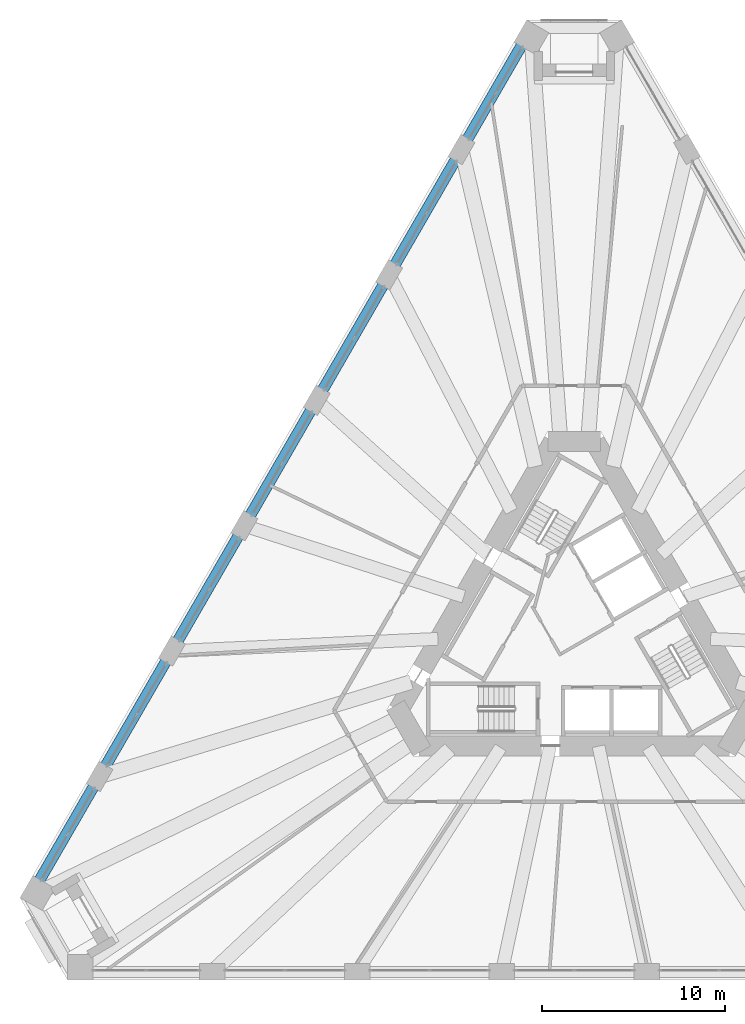
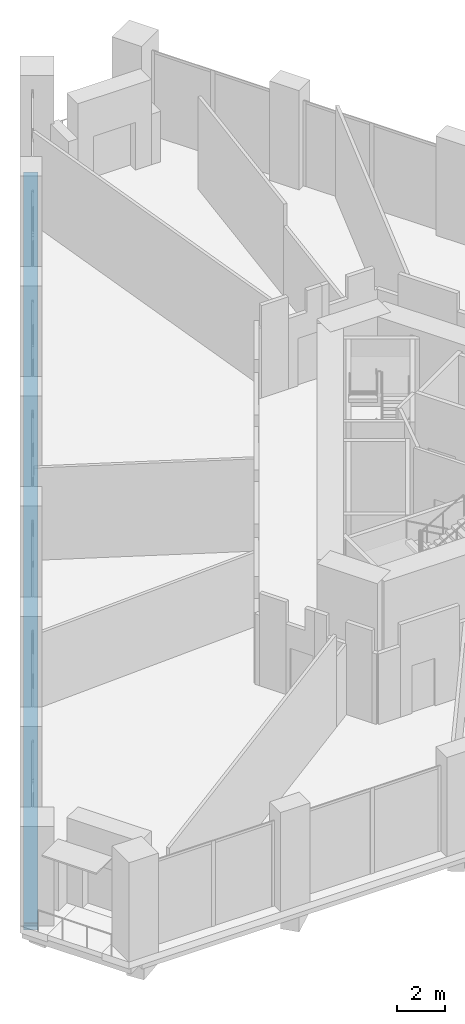
# One storey, part 5 of 20: 1 beam.
"""IFC4 building model written with IfcOpenShell, lengths in metres."""

import ifcopenshell
import ifcopenshell.guid

model = None  # the IFC model being written
_history = None  # IfcOwnerHistory: only IFC2X3 demands one
_inside = {}  # id of a spatial element -> (the spatial element, [elements in it])
_under = {}  # id of a project, library or spatial element -> (it, [spatial elements below it])
_declared = {}  # id of a project -> (the project, [libraries it declares])
_typed = {}  # id of a type object -> (the type object, [elements of that type])
_made_of = {}  # id of a material, layer set ... -> (it, [elements and type objects made of it])


def new_model(schema):
    """Start an empty IFC model of exactly this schema.

    Asked for "IFC4X3", IfcOpenShell would pick the latest addendum, in which some entities
    have other attributes; the version numbers below select the first issue.
    IFC2X3 requires an IfcOwnerHistory on every rooted entity: one is made here for all.
    """
    global model, _history
    if schema == "IFC4X3":
        model = ifcopenshell.file(schema_version=(4, 3, 0, 0))
    else:
        model = ifcopenshell.file(schema=schema)
    _inside.clear()
    _under.clear()
    _declared.clear()
    _typed.clear()
    _made_of.clear()
    _history = None
    if model.schema == "IFC2X3":
        org = make("IfcOrganization", Name="unknown")
        user = make(
            "IfcPersonAndOrganization",
            ThePerson=make("IfcPerson", FamilyName="unknown"),
            TheOrganization=org,
        )
        app = make(
            "IfcApplication",
            ApplicationDeveloper=org,
            Version="unknown",
            ApplicationFullName="unknown",
            ApplicationIdentifier="unknown",
        )
        _history = make(
            "IfcOwnerHistory",
            OwningUser=user,
            OwningApplication=app,
            ChangeAction="ADDED",
            CreationDate=0,
        )
    return model


def make(cls, **values):
    """One entity of the class cls with the attributes given. An attribute that is None is left unset."""
    return model.create_entity(
        cls, **{name: value for name, value in values.items() if value is not None}
    )


def rooted(cls, **values):
    """An entity with a GlobalId (a new one), such as an element, a storey or a relation."""
    return make(cls, GlobalId=ifcopenshell.guid.new(), OwnerHistory=_history, **values)


def si_unit(unit_type, name, prefix=None):
    """IfcSIUnit, for example si_unit("LENGTHUNIT", "METRE", prefix="MILLI")."""
    return make("IfcSIUnit", UnitType=unit_type, Prefix=prefix, Name=name)


def assignment(units):
    """IfcUnitAssignment: the units of a project."""
    return None if units is None else make("IfcUnitAssignment", Units=units)


def point(xyz):
    """IfcCartesianPoint."""
    return None if xyz is None else make("IfcCartesianPoint", Coordinates=xyz)


def direction(xyz):
    """IfcDirection."""
    return None if xyz is None else make("IfcDirection", DirectionRatios=xyz)


def frame(location, z_axis=None, x_axis=None):
    """IfcAxis2Placement3D, a coordinate frame: its origin and axes. An axis left out is left unset."""
    return make(
        "IfcAxis2Placement3D",
        Location=point(location),
        Axis=direction(z_axis),
        RefDirection=direction(x_axis),
    )


def frame_2d(location, x_axis=None):
    """IfcAxis2Placement2D, a coordinate frame in the plane: its origin and x axis."""
    return make(
        "IfcAxis2Placement2D", Location=point(location), RefDirection=direction(x_axis)
    )


def origin():
    """The frame at (0, 0, 0) with its axes left unset."""
    return frame((0.0, 0.0, 0.0))


def origin_2d():
    """The frame at (0, 0) in the plane with its x axis left unset."""
    return frame_2d((0.0, 0.0))


def place(relative_to, where):
    """IfcLocalPlacement: puts the frame where relative to a parent placement (None: the world)."""
    return make(
        "IfcLocalPlacement", PlacementRelTo=relative_to, RelativePlacement=where
    )


def context(
    kind, dimensions, precision=None, world=None, true_north=None, identifier=None
):
    """IfcGeometricRepresentationContext, for example the 3D "Model" context."""
    return make(
        "IfcGeometricRepresentationContext",
        ContextIdentifier=identifier,
        ContextType=kind,
        CoordinateSpaceDimension=dimensions,
        Precision=precision,
        WorldCoordinateSystem=world,
        TrueNorth=true_north,
    )


def subcontext(parent, identifier, kind, view, scale=None):
    """IfcGeometricRepresentationSubContext, for example "Body" below "Model"."""
    return make(
        "IfcGeometricRepresentationSubContext",
        ContextIdentifier=identifier,
        ContextType=kind,
        ParentContext=parent,
        TargetScale=scale,
        TargetView=view,
    )


def project(units=None, contexts=None):
    """IfcProject with its units and contexts."""
    return rooted(
        "IfcProject",
        Name="project",
        RepresentationContexts=contexts,
        UnitsInContext=assignment(units),
    )


def spatial(cls, under=None, at=None, **own):
    """A site, building, storey or space (cls), placed at a placement, below another one or the project."""
    s = rooted(cls, ObjectPlacement=at, **own)
    if under is not None:
        _under.setdefault(under.id(), (under, []))[1].append(s)
    return s


def profile(cls, at=None, kind="AREA", **sizes):
    """A parametric profile (cls). Its sizes go by their IFC names, for example OverallWidth=200.0."""
    return make(cls, ProfileType=kind, Position=at, **sizes)


def rectangle(**sizes):
    """IfcRectangleProfileDef."""
    return profile("IfcRectangleProfileDef", **sizes)


def extrude(swept, where, along, depth):
    """IfcExtrudedAreaSolid: the profile swept, set in the frame where, extruded along a direction by depth."""
    return make(
        "IfcExtrudedAreaSolid",
        SweptArea=swept,
        Position=where,
        ExtrudedDirection=direction(along),
        Depth=depth,
    )


def shape(context_of_items, identifier, shape_type, items):
    """IfcShapeRepresentation: the items that make up one representation, for example the "Body"."""
    return make(
        "IfcShapeRepresentation",
        ContextOfItems=context_of_items,
        RepresentationIdentifier=identifier,
        RepresentationType=shape_type,
        Items=items,
    )


def material(Name=None, Category=None):
    """IfcMaterial."""
    return make("IfcMaterial", Name=Name, Category=Category)


def material_profile(
    of_material, cross_section, Name=None, Category=None, Priority=None
):
    """IfcMaterialProfile: a cross section and its material."""
    return make(
        "IfcMaterialProfile",
        Name=Name,
        Material=of_material,
        Profile=cross_section,
        Priority=Priority,
        Category=Category,
    )


def profile_set(profiles, Name=None, composite=None):
    """IfcMaterialProfileSet."""
    return make(
        "IfcMaterialProfileSet",
        Name=Name,
        MaterialProfiles=profiles,
        CompositeProfile=composite,
    )


def made_of(thing, what):
    """Note that an element or type object is made of a material, layer set ...; save() writes the relation."""
    if what is not None:
        _made_of.setdefault(what.id(), (what, []))[1].append(thing)
    return thing


def type_object(cls, material=None, **own):
    """A type object (cls), such as IfcWallType, which elements share."""
    return made_of(rooted(cls, **own), material)


def element(
    cls,
    number,
    at=None,
    inside=None,
    cuts=None,
    type_object=None,
    material=None,
    context=None,
    identifier="Body",
    shape_type=None,
    held_by="IfcProductDefinitionShape",
    body=None,
    shapes=None,
    **own,
):
    """One element of the class cls, such as IfcWall. Its Tag is "e" and its number.

    at: its placement. inside: the storey or other place that contains it. cuts: it is an
    opening in that element (IfcRelVoidsElement). A single representation is given by context,
    identifier, shape_type and body (its items); several are given by shapes. held_by: the class
    of the entity that holds the representations. save() writes the other relations.
    """
    e = rooted(cls, Tag="e%d" % number, ObjectPlacement=at, **own)
    if body is not None:
        shapes = [shape(context, identifier, shape_type, body)]
    if shapes is not None:
        e.Representation = make(held_by, Representations=shapes)
    if inside is not None:
        _inside.setdefault(inside.id(), (inside, []))[1].append(e)
    if cuts is not None:
        rooted(
            "IfcRelVoidsElement", RelatingBuildingElement=cuts, RelatedOpeningElement=e
        )
    if type_object is not None:
        _typed.setdefault(type_object.id(), (type_object, []))[1].append(e)
    return made_of(e, material)


def aggregate(whole, parts):
    """IfcRelAggregates: a whole, such as a stair, and the parts it consists of."""
    return rooted("IfcRelAggregates", RelatingObject=whole, RelatedObjects=parts)


def save(model, path):
    """Write the relations noted so far, then the file.

    IfcRelAggregates (storeys below a building ...), IfcRelContainedInSpatialStructure (elements
    in a storey), IfcRelDefinesByType, IfcRelAssociatesMaterial and IfcRelDeclares: one each for
    every whole, place, type object, material and project.
    """
    for whole, parts in _under.values():
        aggregate(whole, parts)
    for where, things in _inside.values():
        rooted(
            "IfcRelContainedInSpatialStructure",
            RelatedElements=things,
            RelatingStructure=where,
        )
    for kind, things in _typed.values():
        rooted("IfcRelDefinesByType", RelatedObjects=things, RelatingType=kind)
    for what, things in _made_of.values():
        rooted("IfcRelAssociatesMaterial", RelatedObjects=things, RelatingMaterial=what)
    for by, libraries in _declared.values():
        rooted("IfcRelDeclares", RelatingContext=by, RelatedDefinitions=libraries)
    model.write(path)


model = new_model("IFC4")

# Units and contexts
model_context = context("Model", 3, precision=1e-05, world=origin(), true_north=direction((0.0, 1.0)))
body_context = subcontext(model_context, "Body", "Model", "MODEL_VIEW")
ifc_project = project(units=[si_unit("LENGTHUNIT", "METRE"), si_unit("AREAUNIT", "SQUARE_METRE"), si_unit("VOLUMEUNIT", "CUBIC_METRE"), si_unit("PLANEANGLEUNIT", "RADIAN"), si_unit("MASSUNIT", "GRAM", prefix="KILO")], contexts=[model_context])

# Site, building, storey
site_placement = place(None, origin())
site = spatial("IfcSite", under=ifc_project, at=site_placement, CompositionType="ELEMENT")
building_placement = place(site_placement, origin())
building = spatial("IfcBuilding", under=site, at=building_placement, Name="Tramontana Tower", CompositionType="ELEMENT")
storey_placement = place(building_placement, frame((0.0, 0.0, 20.0)))
storey = spatial("IfcBuildingStorey", under=building, at=storey_placement, Name="L03", CompositionType="ELEMENT", Elevation=20.0)

# Beam
ifc_material = material(Name="Concrete 40 MPa", Category="concrete")
ifc_material_profile = material_profile(ifc_material, rectangle(XDim=0.60009765625, YDim=0.35009765625, at=origin_2d()), Name="RC EDGE BEAM 600X350 40 MPa")
ifc_profile_set = profile_set([ifc_material_profile], Name="Concrete 40 MPa")
beam_type = type_object("IfcBeamType", Name="RC EDGE BEAM 600X350 40 MPa", PredefinedType="SPANDREL", material=ifc_profile_set)
beam_placement = place(storey_placement, frame((-2.558349609375, 32.668701171875, -0.52490234375), z_axis=(-0.500001490283, -0.866024543367, 0.0), x_axis=(0.866024543367, -0.500001490283, 0.0)))
element("IfcBeam", 1, at=beam_placement, inside=storey, type_object=beam_type, Name="Spandrel beam S0 L03", PredefinedType="SPANDREL", context=body_context, shape_type="SweptSolid", body=[
    extrude(rectangle(XDim=0.60009765625, YDim=0.35009765625, at=origin_2d()), origin(), (0.0, 0.0, 1.0), 54.025634765625),
])

save(model, "model.ifc")
